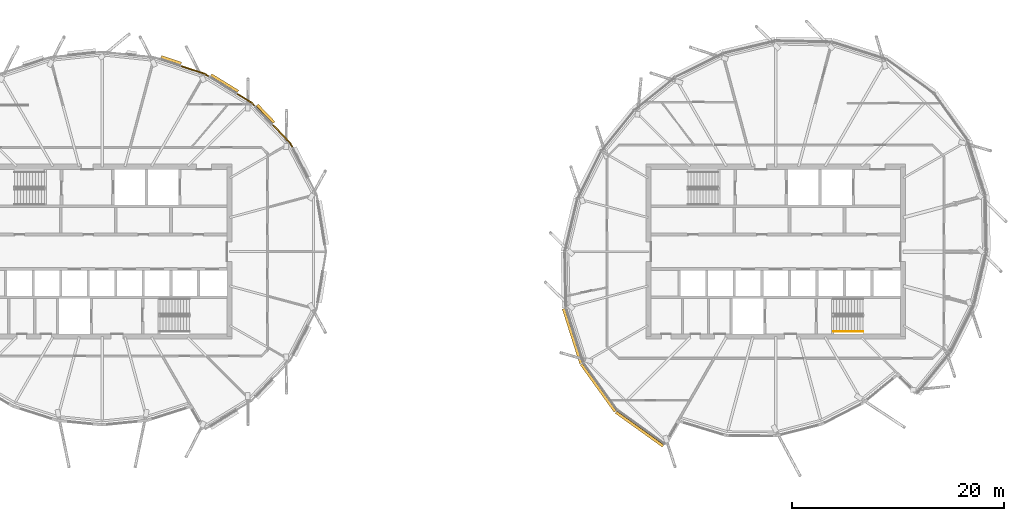
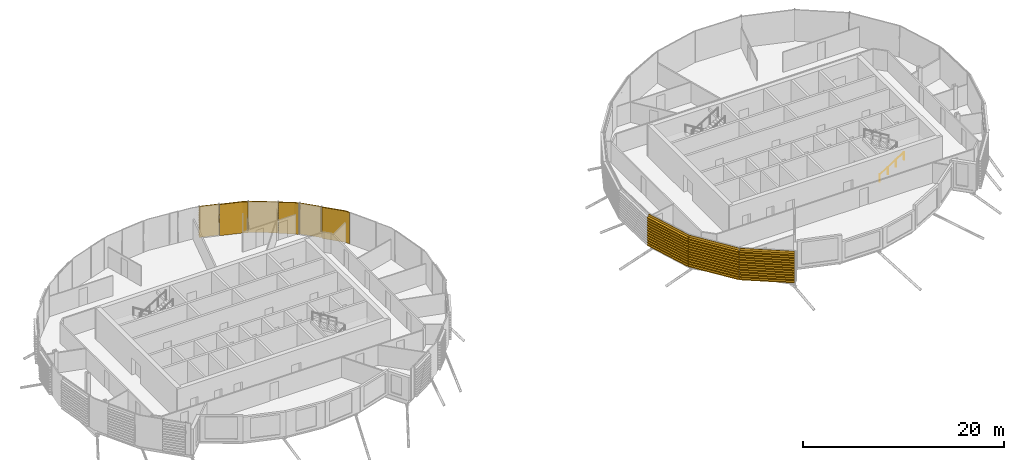
# One storey, part 36 of 38: 9 coverings, 1 railing.
"""IFC4 building model written with IfcOpenShell, lengths in metres."""

from ifc_helpers import new_model, si_unit, direction, frame, origin, origin_2d, place, context, subcontext, project, spatial, polyline, circle, outline, extrude, material, layer, layer_set, material_profile, profile_set, type_object, element, save


model = new_model("IFC4")

# Units and contexts
model_context = context("Model", 3, precision=1e-05, world=origin(), true_north=direction((0.0, 1.0)))
body_context = subcontext(model_context, "Body", "Model", "MODEL_VIEW")
ifc_project = project(units=[si_unit("LENGTHUNIT", "METRE"), si_unit("AREAUNIT", "SQUARE_METRE"), si_unit("VOLUMEUNIT", "CUBIC_METRE"), si_unit("PLANEANGLEUNIT", "RADIAN"), si_unit("MASSUNIT", "GRAM", prefix="KILO")], contexts=[model_context])

# Site, building, storey
site_placement = place(None, origin())
site = spatial("IfcSite", under=ifc_project, at=site_placement, CompositionType="ELEMENT")
building_placement = place(site_placement, origin())
building = spatial("IfcBuilding", under=site, at=building_placement, Name="Rimbun Link Towers", CompositionType="ELEMENT")
storey_placement = place(building_placement, frame((0.0, 0.0, 218.10009765625)))
storey = spatial("IfcBuildingStorey", under=building, at=storey_placement, Name="L53", CompositionType="ELEMENT", Elevation=218.10009765625)

# Coverings
ifc_material_1 = material(Name="Terracotta", Category="masonry")
ifc_layer = layer(ifc_material_1, 0.1201171875)
ifc_layer_set = layer_set([ifc_layer], Name="LINK PIER terracotta cladding 120")
covering_type_1 = type_object("IfcCoveringType", Name="LINK PIER terracotta cladding 120", PredefinedType="CLADDING", material=ifc_layer_set)
covering_1_placement = place(storey_placement, origin())
element("IfcCovering", 1, at=covering_1_placement, inside=storey, type_object=covering_type_1, Name="LINK PIER cladding", PredefinedType="CLADDING", context=body_context, shape_type="SweptSolid", body=[
    extrude(outline(polyline([(-15.739990234375, 11.957275390625), (-14.065185546875, 10.21044921875), (-13.826171875, 9.74853515625), (-13.719482421875, 9.8037109375), (-13.966552734375, 10.281005859375), (-15.6533203125, 12.040283203125), (-15.739990234375, 11.957275390625)])), origin(), (0.0, 0.0, 1.0), 3.7998046875),
])
covering_2_placement = place(storey_placement, origin())
element("IfcCovering", 2, at=covering_2_placement, inside=storey, type_object=covering_type_1, Name="LINK PIER cladding", PredefinedType="CLADDING", context=body_context, shape_type="SweptSolid", body=[
    extrude(outline(polyline([(-19.0615234375, 14.847900390625), (-17.7236328125, 14.0263671875), (-17.36376953125, 13.651123046875), (-17.277099609375, 13.734130859375), (-17.647705078125, 14.12060546875), (-18.998779296875, 14.9501953125), (-19.0615234375, 14.847900390625)])), origin(), (0.0, 0.0, 1.0), 3.7998046875),
])
covering_3_placement = place(storey_placement, origin())
element("IfcCovering", 3, at=covering_3_placement, inside=storey, type_object=covering_type_1, Name="LINK PIER cladding", PredefinedType="CLADDING", context=body_context, shape_type="SweptSolid", body=[
    extrude(outline(polyline([(-24.35009765625, 17.459228515625), (-22.100341796875, 16.713623046875), (-21.6572265625, 16.441650390625), (-21.594482421875, 16.5439453125), (-22.04931640625, 16.8232421875), (-24.312255859375, 17.5732421875), (-24.35009765625, 17.459228515625)])), origin(), (0.0, 0.0, 1.0), 3.7998046875),
])

# Railing
ifc_material_2 = material(Name="Stainless steel grade 316", Category="steel")
railing_type = type_object("IfcRailingType", Name="Stair handrail", PredefinedType="HANDRAIL", material=ifc_material_2)
railing_placement = place(storey_placement, frame((37.199951171875, -7.5, 0.172607421875)))
element("IfcRailing", 4, at=railing_placement, inside=storey, type_object=railing_type, Name="L53 ST4 stair handrail 1", PredefinedType="HANDRAIL", context=body_context, shape_type="SweptSolid", body=[
    extrude(circle(Radius=0.02392578125, at=origin_2d()), frame((0.0, 0.0, 0.8759765625), z_axis=(0.851089632645, 0.0, 0.525020415988), x_axis=(0.0, 1.0, 0.0)), (0.0, 0.0, 1.0), 3.2900390625),
    extrude(circle(Radius=0.02099609375, at=origin_2d()), origin(), (0.0, 0.0, 1.0), 0.851806640625),
    extrude(circle(Radius=0.02099609375, at=origin_2d()), frame((0.933349609375, 0.0, 0.57568359375)), (0.0, 0.0, 1.0), 0.851806640625),
    extrude(circle(Radius=0.02099609375, at=origin_2d()), frame((1.86669921875, 0.0, 1.151611328125)), (0.0, 0.0, 1.0), 0.851806640625),
    extrude(circle(Radius=0.02099609375, at=origin_2d()), frame((2.800048828125, 0.0, 1.727294921875)), (0.0, 0.0, 1.0), 0.851806640625),
])

# Coverings
ifc_material_3 = material(Name="Terracotta", Category="masonry")
ifc_material_profile = material_profile(ifc_material_3, outline(polyline([(0.123046875, 0.0), (0.1630859375, 0.0), (0.1630859375, 0.10009765625), (0.423095703125, 0.10009765625), (0.423095703125, 0.219970703125), (0.1630859375, 0.219970703125), (0.1630859375, 0.39990234375), (0.423095703125, 0.39990234375), (0.423095703125, 0.52001953125), (0.1630859375, 0.52001953125), (0.1630859375, 0.699951171875), (0.423095703125, 0.699951171875), (0.423095703125, 0.820068359375), (0.1630859375, 0.820068359375), (0.1630859375, 1.0), (0.423095703125, 1.0), (0.423095703125, 1.1201171875), (0.1630859375, 1.1201171875), (0.1630859375, 1.300048828125), (0.423095703125, 1.300048828125), (0.423095703125, 1.419921875), (0.1630859375, 1.419921875), (0.1630859375, 1.60009765625), (0.423095703125, 1.60009765625), (0.423095703125, 1.719970703125), (0.1630859375, 1.719970703125), (0.1630859375, 1.89990234375), (0.423095703125, 1.89990234375), (0.423095703125, 2.02001953125), (0.1630859375, 2.02001953125), (0.1630859375, 2.199951171875), (0.423095703125, 2.199951171875), (0.423095703125, 2.320068359375), (0.1630859375, 2.320068359375), (0.1630859375, 2.5), (0.423095703125, 2.5), (0.423095703125, 2.6201171875), (0.1630859375, 2.6201171875), (0.1630859375, 2.800048828125), (0.423095703125, 2.800048828125), (0.423095703125, 2.919921875), (0.1630859375, 2.919921875), (0.1630859375, 3.10009765625), (0.423095703125, 3.10009765625), (0.423095703125, 3.219970703125), (0.1630859375, 3.219970703125), (0.1630859375, 3.39990234375), (0.423095703125, 3.39990234375), (0.423095703125, 3.52001953125), (0.1630859375, 3.52001953125), (0.1630859375, 3.800048828125), (0.123046875, 3.800048828125), (0.123046875, 0.0)])), Name="BAGUETTE 120X300")
ifc_profile_set = profile_set([ifc_material_profile], Name="Terracotta")
covering_type_2 = type_object("IfcCoveringType", Name="TERRACOTTA BAGUETTE 120X300 H3800", PredefinedType="CLADDING", material=ifc_profile_set)
covering_4_placement = place(storey_placement, frame((-17.343017578125, 13.62939453125, 0.0), z_axis=(0.692053780348, -0.721845942779, 0.0), x_axis=(0.721845942779, 0.692053780348, 0.0)))
element("IfcCovering", 5, at=covering_4_placement, inside=storey, type_object=covering_type_2, Name="TERRACOTTA BAGUETTE", PredefinedType="CLADDING", context=body_context, shape_type="SweptSolid", body=[
    extrude(outline(polyline([(0.123046875, 0.0), (0.1630859375, 0.0), (0.1630859375, 0.10009765625), (0.423095703125, 0.10009765625), (0.423095703125, 0.219970703125), (0.1630859375, 0.219970703125), (0.1630859375, 0.39990234375), (0.423095703125, 0.39990234375), (0.423095703125, 0.52001953125), (0.1630859375, 0.52001953125), (0.1630859375, 0.699951171875), (0.423095703125, 0.699951171875), (0.423095703125, 0.820068359375), (0.1630859375, 0.820068359375), (0.1630859375, 1.0), (0.423095703125, 1.0), (0.423095703125, 1.1201171875), (0.1630859375, 1.1201171875), (0.1630859375, 1.300048828125), (0.423095703125, 1.300048828125), (0.423095703125, 1.419921875), (0.1630859375, 1.419921875), (0.1630859375, 1.60009765625), (0.423095703125, 1.60009765625), (0.423095703125, 1.719970703125), (0.1630859375, 1.719970703125), (0.1630859375, 1.89990234375), (0.423095703125, 1.89990234375), (0.423095703125, 2.02001953125), (0.1630859375, 2.02001953125), (0.1630859375, 2.199951171875), (0.423095703125, 2.199951171875), (0.423095703125, 2.320068359375), (0.1630859375, 2.320068359375), (0.1630859375, 2.5), (0.423095703125, 2.5), (0.423095703125, 2.6201171875), (0.1630859375, 2.6201171875), (0.1630859375, 2.800048828125), (0.423095703125, 2.800048828125), (0.423095703125, 2.919921875), (0.1630859375, 2.919921875), (0.1630859375, 3.10009765625), (0.423095703125, 3.10009765625), (0.423095703125, 3.219970703125), (0.1630859375, 3.219970703125), (0.1630859375, 3.39990234375), (0.423095703125, 3.39990234375), (0.423095703125, 3.52001953125), (0.1630859375, 3.52001953125), (0.1630859375, 3.800048828125), (0.123046875, 3.800048828125), (0.123046875, 0.0)])), origin(), (0.0, 0.0, 1.0), 2.286376953125),
])
covering_5_placement = place(storey_placement, frame((-21.631591796875, 16.426025390625, 0.0), z_axis=(0.852152035837, -0.523294284145, 0.0), x_axis=(0.523294284145, 0.852152035837, 0.0)))
element("IfcCovering", 6, at=covering_5_placement, inside=storey, type_object=covering_type_2, Name="TERRACOTTA BAGUETTE", PredefinedType="CLADDING", context=body_context, shape_type="SweptSolid", body=[
    extrude(outline(polyline([(0.123046875, 0.0), (0.1630859375, 0.0), (0.1630859375, 0.10009765625), (0.423095703125, 0.10009765625), (0.423095703125, 0.219970703125), (0.1630859375, 0.219970703125), (0.1630859375, 0.39990234375), (0.423095703125, 0.39990234375), (0.423095703125, 0.52001953125), (0.1630859375, 0.52001953125), (0.1630859375, 0.699951171875), (0.423095703125, 0.699951171875), (0.423095703125, 0.820068359375), (0.1630859375, 0.820068359375), (0.1630859375, 1.0), (0.423095703125, 1.0), (0.423095703125, 1.1201171875), (0.1630859375, 1.1201171875), (0.1630859375, 1.300048828125), (0.423095703125, 1.300048828125), (0.423095703125, 1.419921875), (0.1630859375, 1.419921875), (0.1630859375, 1.60009765625), (0.423095703125, 1.60009765625), (0.423095703125, 1.719970703125), (0.1630859375, 1.719970703125), (0.1630859375, 1.89990234375), (0.423095703125, 1.89990234375), (0.423095703125, 2.02001953125), (0.1630859375, 2.02001953125), (0.1630859375, 2.199951171875), (0.423095703125, 2.199951171875), (0.423095703125, 2.320068359375), (0.1630859375, 2.320068359375), (0.1630859375, 2.5), (0.423095703125, 2.5), (0.423095703125, 2.6201171875), (0.1630859375, 2.6201171875), (0.1630859375, 2.800048828125), (0.423095703125, 2.800048828125), (0.423095703125, 2.919921875), (0.1630859375, 2.919921875), (0.1630859375, 3.10009765625), (0.423095703125, 3.10009765625), (0.423095703125, 3.219970703125), (0.1630859375, 3.219970703125), (0.1630859375, 3.39990234375), (0.423095703125, 3.39990234375), (0.423095703125, 3.52001953125), (0.1630859375, 3.52001953125), (0.1630859375, 3.800048828125), (0.123046875, 3.800048828125), (0.123046875, 0.0)])), origin(), (0.0, 0.0, 1.0), 2.98583984375),
])
covering_6_placement = place(storey_placement, frame((-26.2802734375, 18.098876953125, 0.0), z_axis=(0.949254463086, -0.314509084625, 0.0), x_axis=(0.314509084625, 0.949254463086, 0.0)))
element("IfcCovering", 7, at=covering_6_placement, inside=storey, type_object=covering_type_2, Name="TERRACOTTA BAGUETTE", PredefinedType="CLADDING", context=body_context, shape_type="SweptSolid", body=[
    extrude(outline(polyline([(0.123046875, 0.0), (0.1630859375, 0.0), (0.1630859375, 0.10009765625), (0.423095703125, 0.10009765625), (0.423095703125, 0.219970703125), (0.1630859375, 0.219970703125), (0.1630859375, 0.39990234375), (0.423095703125, 0.39990234375), (0.423095703125, 0.52001953125), (0.1630859375, 0.52001953125), (0.1630859375, 0.699951171875), (0.423095703125, 0.699951171875), (0.423095703125, 0.820068359375), (0.1630859375, 0.820068359375), (0.1630859375, 1.0), (0.423095703125, 1.0), (0.423095703125, 1.1201171875), (0.1630859375, 1.1201171875), (0.1630859375, 1.300048828125), (0.423095703125, 1.300048828125), (0.423095703125, 1.419921875), (0.1630859375, 1.419921875), (0.1630859375, 1.60009765625), (0.423095703125, 1.60009765625), (0.423095703125, 1.719970703125), (0.1630859375, 1.719970703125), (0.1630859375, 1.89990234375), (0.423095703125, 1.89990234375), (0.423095703125, 2.02001953125), (0.1630859375, 2.02001953125), (0.1630859375, 2.199951171875), (0.423095703125, 2.199951171875), (0.423095703125, 2.320068359375), (0.1630859375, 2.320068359375), (0.1630859375, 2.5), (0.423095703125, 2.5), (0.423095703125, 2.6201171875), (0.1630859375, 2.6201171875), (0.1630859375, 2.800048828125), (0.423095703125, 2.800048828125), (0.423095703125, 2.919921875), (0.1630859375, 2.919921875), (0.1630859375, 3.10009765625), (0.423095703125, 3.10009765625), (0.423095703125, 3.219970703125), (0.1630859375, 3.219970703125), (0.1630859375, 3.39990234375), (0.423095703125, 3.39990234375), (0.423095703125, 3.52001953125), (0.1630859375, 3.52001953125), (0.1630859375, 3.800048828125), (0.123046875, 3.800048828125), (0.123046875, 0.0)])), origin(), (0.0, 0.0, 1.0), 2.00341796875),
])
covering_7_placement = place(storey_placement, frame((13.664794921875, -10.44140625, 0.0), z_axis=(-0.303093767546, 0.95296073795, 0.0), x_axis=(-0.95296073795, -0.303093767546, 0.0)))
element("IfcCovering", 8, at=covering_7_placement, inside=storey, type_object=covering_type_2, Name="TERRACOTTA BAGUETTE", PredefinedType="CLADDING", context=body_context, shape_type="SweptSolid", body=[
    extrude(outline(polyline([(0.123046875, 0.0), (0.1630859375, 0.0), (0.1630859375, 0.10009765625), (0.423095703125, 0.10009765625), (0.423095703125, 0.219970703125), (0.1630859375, 0.219970703125), (0.1630859375, 0.39990234375), (0.423095703125, 0.39990234375), (0.423095703125, 0.52001953125), (0.1630859375, 0.52001953125), (0.1630859375, 0.699951171875), (0.423095703125, 0.699951171875), (0.423095703125, 0.820068359375), (0.1630859375, 0.820068359375), (0.1630859375, 1.0), (0.423095703125, 1.0), (0.423095703125, 1.1201171875), (0.1630859375, 1.1201171875), (0.1630859375, 1.300048828125), (0.423095703125, 1.300048828125), (0.423095703125, 1.419921875), (0.1630859375, 1.419921875), (0.1630859375, 1.60009765625), (0.423095703125, 1.60009765625), (0.423095703125, 1.719970703125), (0.1630859375, 1.719970703125), (0.1630859375, 1.89990234375), (0.423095703125, 1.89990234375), (0.423095703125, 2.02001953125), (0.1630859375, 2.02001953125), (0.1630859375, 2.199951171875), (0.423095703125, 2.199951171875), (0.423095703125, 2.320068359375), (0.1630859375, 2.320068359375), (0.1630859375, 2.5), (0.423095703125, 2.5), (0.423095703125, 2.6201171875), (0.1630859375, 2.6201171875), (0.1630859375, 2.800048828125), (0.423095703125, 2.800048828125), (0.423095703125, 2.919921875), (0.1630859375, 2.919921875), (0.1630859375, 3.10009765625), (0.423095703125, 3.10009765625), (0.423095703125, 3.219970703125), (0.1630859375, 3.219970703125), (0.1630859375, 3.39990234375), (0.423095703125, 3.39990234375), (0.423095703125, 3.52001953125), (0.1630859375, 3.52001953125), (0.1630859375, 3.800048828125), (0.123046875, 3.800048828125), (0.123046875, 0.0)])), origin(), (0.0, 0.0, 1.0), 5.410400390625),
])
for number, where, z_axis, x_axis, name in (
    (9, (16.858154296875, -14.891845703125, 0.0), (-0.582986556587, 0.812481799697, 0.0), (-0.812481799697, -0.582986556587, 0.0), "TERRACOTTA BAGUETTE"),
    (10, (21.30859375, -18.085205078125, 0.0), (-0.812481799697, 0.582986556587, 0.0), (-0.582986556587, -0.812481799697, 0.0), "TERRACOTTA BAGUETTE"),
):
    element("IfcCovering", number, at=place(storey_placement, frame(where, z_axis=z_axis, x_axis=x_axis)), inside=storey, type_object=covering_type_2, Name=name, PredefinedType="CLADDING", context=body_context, shape_type="SweptSolid", body=[
        extrude(outline(polyline([(0.123046875, 0.0), (0.1630859375, 0.0), (0.1630859375, 0.10009765625), (0.423095703125, 0.10009765625), (0.423095703125, 0.219970703125), (0.1630859375, 0.219970703125), (0.1630859375, 0.39990234375), (0.423095703125, 0.39990234375), (0.423095703125, 0.52001953125), (0.1630859375, 0.52001953125), (0.1630859375, 0.699951171875), (0.423095703125, 0.699951171875), (0.423095703125, 0.820068359375), (0.1630859375, 0.820068359375), (0.1630859375, 1.0), (0.423095703125, 1.0), (0.423095703125, 1.1201171875), (0.1630859375, 1.1201171875), (0.1630859375, 1.300048828125), (0.423095703125, 1.300048828125), (0.423095703125, 1.419921875), (0.1630859375, 1.419921875), (0.1630859375, 1.60009765625), (0.423095703125, 1.60009765625), (0.423095703125, 1.719970703125), (0.1630859375, 1.719970703125), (0.1630859375, 1.89990234375), (0.423095703125, 1.89990234375), (0.423095703125, 2.02001953125), (0.1630859375, 2.02001953125), (0.1630859375, 2.199951171875), (0.423095703125, 2.199951171875), (0.423095703125, 2.320068359375), (0.1630859375, 2.320068359375), (0.1630859375, 2.5), (0.423095703125, 2.5), (0.423095703125, 2.6201171875), (0.1630859375, 2.6201171875), (0.1630859375, 2.800048828125), (0.423095703125, 2.800048828125), (0.423095703125, 2.919921875), (0.1630859375, 2.919921875), (0.1630859375, 3.10009765625), (0.423095703125, 3.10009765625), (0.423095703125, 3.219970703125), (0.1630859375, 3.219970703125), (0.1630859375, 3.39990234375), (0.423095703125, 3.39990234375), (0.423095703125, 3.52001953125), (0.1630859375, 3.52001953125), (0.1630859375, 3.800048828125), (0.123046875, 3.800048828125), (0.123046875, 0.0)])), origin(), (0.0, 0.0, 1.0), 5.4775390625),
    ])

save(model, "model.ifc")
